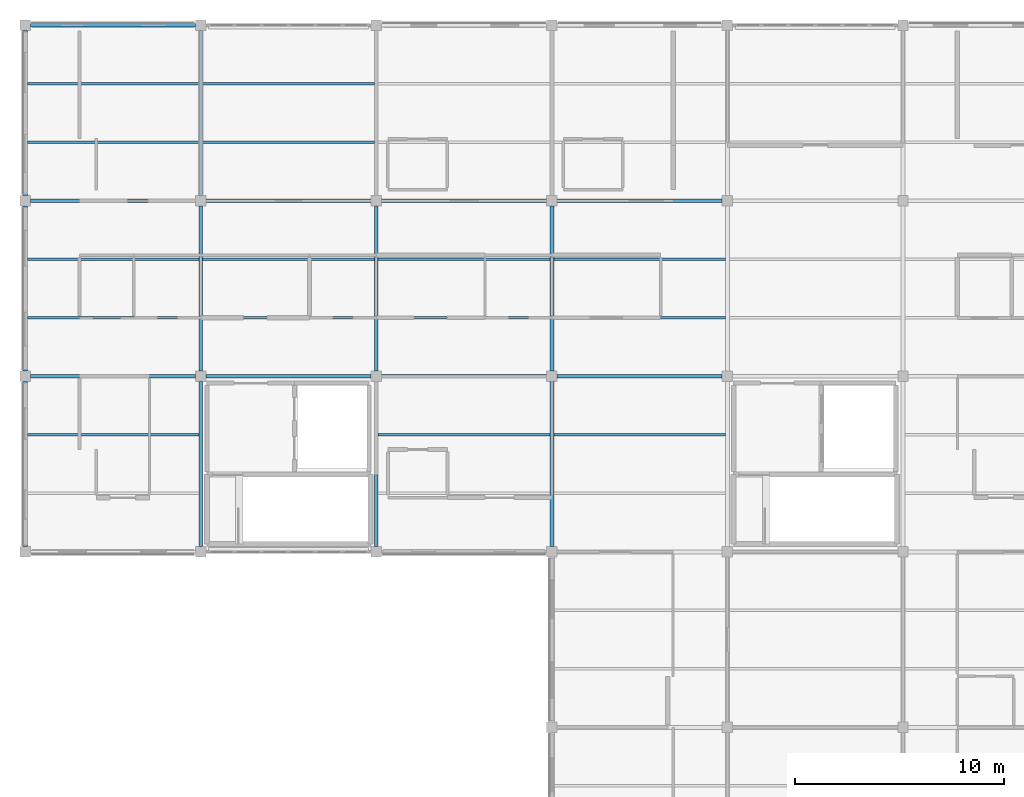
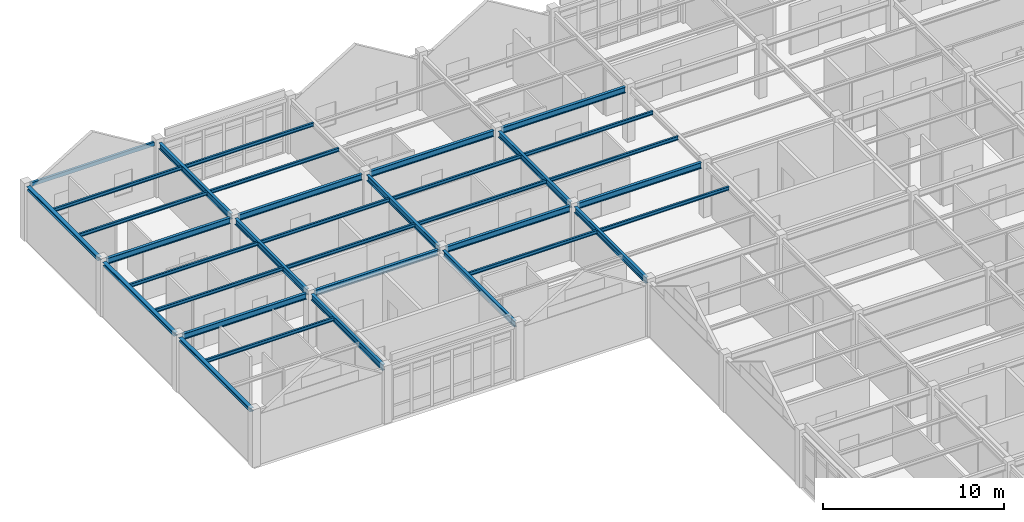
# One storey, part 19 of 45: 34 beams.
"""IFC4 building model written with IfcOpenShell, lengths in metres."""

from ifc_helpers import new_model, si_unit, direction, frame, origin, origin_2d, place, context, subcontext, project, spatial, hollow_rectangle, i_section, extrude, material, material_profile, profile_set, type_object, element, save


model = new_model("IFC4")

# Units and contexts
model_context = context("Model", 3, precision=1e-05, world=origin(), true_north=direction((0.0, 1.0)))
body_context = subcontext(model_context, "Body", "Model", "MODEL_VIEW")
ifc_project = project(units=[si_unit("LENGTHUNIT", "METRE"), si_unit("AREAUNIT", "SQUARE_METRE"), si_unit("VOLUMEUNIT", "CUBIC_METRE"), si_unit("PLANEANGLEUNIT", "RADIAN"), si_unit("MASSUNIT", "GRAM", prefix="KILO")], contexts=[model_context])

# Site, building, storey
site_placement = place(None, origin())
site = spatial("IfcSite", under=ifc_project, at=site_placement, CompositionType="ELEMENT")
building_placement = place(site_placement, origin())
building = spatial("IfcBuilding", under=site, at=building_placement, Name="Bramfleet General Hospital", CompositionType="ELEMENT")
storey_placement = place(building_placement, frame((0.0, 0.0, 30.300048828125)))
storey = spatial("IfcBuildingStorey", under=building, at=storey_placement, Name="L07", CompositionType="ELEMENT", Elevation=30.300048828125)

# Beams
ifc_material = material(Name="Steel S355", Category="steel")
ifc_material_profile_1 = material_profile(ifc_material, i_section(OverallWidth=0.239990234375, OverallDepth=0.22998046875, WebThickness=0.007568359375, FlangeThickness=0.011962890625, FilletRadius=0.02099609375, at=origin_2d()), Name="HEA 240")
ifc_profile_set_1 = profile_set([ifc_material_profile_1], Name="Steel S355")
beam_type_1 = type_object("IfcBeamType", Name="BM-HEA240", PredefinedType="SPANDREL", material=ifc_profile_set_1)
beam_1_placement = place(storey_placement, frame((67.199951171875, 92.64990234375, 3.544921875), z_axis=(0.0, 1.0, 0.0), x_axis=(-1.0, 0.0, 0.0)))
element("IfcBeam", 1, at=beam_1_placement, inside=storey, type_object=beam_type_1, Name="L07 Grid Beam Y 08-11", PredefinedType="SPANDREL", context=body_context, shape_type="SweptSolid", body=[
    extrude(i_section(OverallWidth=0.239990234375, OverallDepth=0.22998046875, WebThickness=0.007568359375, FlangeThickness=0.011962890625, FilletRadius=0.02099609375, at=origin_2d()), origin(), (0.0, 0.0, 1.0), 7.900146484375),
])
beam_2_placement = place(storey_placement, frame((67.199951171875, 101.050048828125, 3.544921875), z_axis=(0.0, 1.0, 0.0), x_axis=(-1.0, 0.0, 0.0)))
element("IfcBeam", 2, at=beam_2_placement, inside=storey, type_object=beam_type_1, Name="L07 Grid Beam Y 08-12", PredefinedType="SPANDREL", context=body_context, shape_type="SweptSolid", body=[
    extrude(i_section(OverallWidth=0.239990234375, OverallDepth=0.22998046875, WebThickness=0.007568359375, FlangeThickness=0.011962890625, FilletRadius=0.02099609375, at=origin_2d()), origin(), (0.0, 0.0, 1.0), 7.89990234375),
])
beam_3_placement = place(storey_placement, frame((67.199951171875, 109.449951171875, 3.544921875), z_axis=(0.0, 1.0, 0.0), x_axis=(-1.0, 0.0, 0.0)))
element("IfcBeam", 3, at=beam_3_placement, inside=storey, type_object=beam_type_1, Name="L07 Grid Beam Y 08-13", PredefinedType="SPANDREL", context=body_context, shape_type="SweptSolid", body=[
    extrude(i_section(OverallWidth=0.239990234375, OverallDepth=0.22998046875, WebThickness=0.007568359375, FlangeThickness=0.011962890625, FilletRadius=0.02099609375, at=origin_2d()), origin(), (0.0, 0.0, 1.0), 7.900146484375),
])
ifc_material_profile_2 = material_profile(ifc_material, i_section(OverallWidth=0.1201171875, OverallDepth=0.239990234375, WebThickness=0.006103515625, FlangeThickness=0.009765625, FilletRadius=0.014892578125, at=origin_2d()), Name="IPE 240")
ifc_profile_set_2 = profile_set([ifc_material_profile_2], Name="Steel S355")
beam_type_2 = type_object("IfcBeamType", Name="BM-IPE240", PredefinedType="JOIST", material=ifc_profile_set_2)
for number, where, z_axis, x_axis, name in (
    (4, (67.320068359375, 98.0, 3.5400390625), (1.0, 0.0, 0.0), (0.0, 1.0, 0.0), "L07 Secondary Joist 08-11-2"),
    (5, (67.320068359375, 103.60009765625, 3.5400390625), (1.0, 0.0, 0.0), (0.0, 1.0, 0.0), "L07 Secondary Joist 08-12-1"),
    (6, (67.320068359375, 106.39990234375, 3.5400390625), (1.0, 0.0, 0.0), (0.0, 1.0, 0.0), "L07 Secondary Joist 08-12-2"),
    (7, (67.320068359375, 112.0, 3.5400390625), (1.0, 0.0, 0.0), (0.0, 1.0, 0.0), "L07 Secondary Joist 08-13-1"),
    (8, (67.320068359375, 114.800048828125, 3.5400390625), (1.0, 0.0, 0.0), (0.0, 1.0, 0.0), "L07 Secondary Joist 08-13-2"),
):
    element("IfcBeam", number, at=place(storey_placement, frame(where, z_axis=z_axis, x_axis=x_axis)), inside=storey, type_object=beam_type_2, Name=name, PredefinedType="JOIST", context=body_context, shape_type="SweptSolid", body=[
        extrude(i_section(OverallWidth=0.1201171875, OverallDepth=0.239990234375, WebThickness=0.006103515625, FlangeThickness=0.009765625, FilletRadius=0.014892578125, at=origin_2d()), origin(), (0.0, 0.0, 1.0), 8.18994140625),
    ])
for number, where, z_axis, x_axis, name in (
    (9, (75.68994140625, 103.60009765625, 3.5400390625), (1.0, 0.0, 0.0), (0.0, 1.0, 0.0), "L07 Secondary Joist 09-12-1"),
    (10, (75.68994140625, 106.39990234375, 3.5400390625), (1.0, 0.0, 0.0), (0.0, 1.0, 0.0), "L07 Secondary Joist 09-12-2"),
    (11, (75.68994140625, 112.0, 3.5400390625), (1.0, 0.0, 0.0), (0.0, 1.0, 0.0), "L07 Secondary Joist 09-13-1"),
    (12, (75.68994140625, 114.800048828125, 3.5400390625), (1.0, 0.0, 0.0), (0.0, 1.0, 0.0), "L07 Secondary Joist 09-13-2"),
    (13, (84.090087890625, 98.0, 3.5400390625), (1.0, 0.0, 0.0), (0.0, 1.0, 0.0), "L07 Secondary Joist 10-11-2"),
    (14, (84.090087890625, 103.60009765625, 3.5400390625), (1.0, 0.0, 0.0), (0.0, 1.0, 0.0), "L07 Secondary Joist 10-12-1"),
    (15, (84.090087890625, 106.39990234375, 3.5400390625), (1.0, 0.0, 0.0), (0.0, 1.0, 0.0), "L07 Secondary Joist 10-12-2"),
    (16, (92.489990234375, 98.0, 3.5400390625), (1.0, 0.0, 0.0), (0.0, 1.0, 0.0), "L07 Secondary Joist 11-11-2"),
    (17, (92.489990234375, 103.60009765625, 3.5400390625), (1.0, 0.0, 0.0), (0.0, 1.0, 0.0), "L07 Secondary Joist 11-12-1"),
    (18, (92.489990234375, 106.39990234375, 3.5400390625), (1.0, 0.0, 0.0), (0.0, 1.0, 0.0), "L07 Secondary Joist 11-12-2"),
):
    element("IfcBeam", number, at=place(storey_placement, frame(where, z_axis=z_axis, x_axis=x_axis)), inside=storey, type_object=beam_type_2, Name=name, PredefinedType="JOIST", context=body_context, shape_type="SweptSolid", body=[
        extrude(i_section(OverallWidth=0.1201171875, OverallDepth=0.239990234375, WebThickness=0.006103515625, FlangeThickness=0.009765625, FilletRadius=0.014892578125, at=origin_2d()), origin(), (0.0, 0.0, 1.0), 8.219970703125),
    ])
ifc_material_profile_3 = material_profile(ifc_material, i_section(OverallWidth=0.179931640625, OverallDepth=0.39990234375, WebThickness=0.008544921875, FlangeThickness=0.013427734375, FilletRadius=0.02099609375, at=origin_2d()), Name="IPE 400")
ifc_profile_set_3 = profile_set([ifc_material_profile_3], Name="Steel S355")
beam_type_3 = type_object("IfcBeamType", Name="BM-IPE400", PredefinedType="BEAM", material=ifc_profile_set_3)
for number, where, z_axis, x_axis, name in (
    (19, (67.449951171875, 100.800048828125, 3.4599609375), (1.0, 0.0, 0.0), (0.0, 1.0, 0.0), "L07 Grid Beam X 08-12"),
    (20, (67.449951171875, 109.199951171875, 3.4599609375), (1.0, 0.0, 0.0), (0.0, 1.0, 0.0), "L07 Grid Beam X 08-13"),
):
    element("IfcBeam", number, at=place(storey_placement, frame(where, z_axis=z_axis, x_axis=x_axis)), inside=storey, type_object=beam_type_3, Name=name, PredefinedType="BEAM", context=body_context, shape_type="SweptSolid", body=[
        extrude(i_section(OverallWidth=0.179931640625, OverallDepth=0.39990234375, WebThickness=0.008544921875, FlangeThickness=0.013427734375, FilletRadius=0.02099609375, at=origin_2d()), origin(), (0.0, 0.0, 1.0), 7.900146484375),
    ])
for number, where, z_axis, x_axis, name in (
    (21, (75.85009765625, 100.800048828125, 3.4599609375), (1.0, 0.0, 0.0), (0.0, 1.0, 0.0), "L07 Grid Beam X 09-12"),
    (22, (75.85009765625, 109.199951171875, 3.4599609375), (1.0, 0.0, 0.0), (0.0, 1.0, 0.0), "L07 Grid Beam X 09-13"),
    (23, (84.25, 100.800048828125, 3.4599609375), (1.0, 0.0, 0.0), (0.0, 1.0, 0.0), "L07 Grid Beam X 10-12"),
    (24, (84.25, 109.199951171875, 3.4599609375), (1.0, 0.0, 0.0), (0.0, 1.0, 0.0), "L07 Grid Beam X 10-13"),
):
    element("IfcBeam", number, at=place(storey_placement, frame(where, z_axis=z_axis, x_axis=x_axis)), inside=storey, type_object=beam_type_3, Name=name, PredefinedType="BEAM", context=body_context, shape_type="SweptSolid", body=[
        extrude(i_section(OverallWidth=0.179931640625, OverallDepth=0.39990234375, WebThickness=0.008544921875, FlangeThickness=0.013427734375, FilletRadius=0.02099609375, at=origin_2d()), origin(), (0.0, 0.0, 1.0), 7.89990234375),
    ])
for number, where, z_axis, x_axis, name in (
    (25, (92.64990234375, 100.800048828125, 3.4599609375), (1.0, 0.0, 0.0), (0.0, 1.0, 0.0), "L07 Grid Beam X 11-12"),
    (26, (92.64990234375, 109.199951171875, 3.4599609375), (1.0, 0.0, 0.0), (0.0, 1.0, 0.0), "L07 Grid Beam X 11-13"),
    (27, (75.60009765625, 92.64990234375, 3.4599609375), (0.0, 1.0, 0.0), (-1.0, 0.0, 0.0), "L07 Grid Beam Y 09-11"),
):
    element("IfcBeam", number, at=place(storey_placement, frame(where, z_axis=z_axis, x_axis=x_axis)), inside=storey, type_object=beam_type_3, Name=name, PredefinedType="BEAM", context=body_context, shape_type="SweptSolid", body=[
        extrude(i_section(OverallWidth=0.179931640625, OverallDepth=0.39990234375, WebThickness=0.008544921875, FlangeThickness=0.013427734375, FilletRadius=0.02099609375, at=origin_2d()), origin(), (0.0, 0.0, 1.0), 7.900146484375),
    ])
beam_4_placement = place(storey_placement, frame((75.60009765625, 101.050048828125, 3.4599609375), z_axis=(0.0, 1.0, 0.0), x_axis=(-1.0, 0.0, 0.0)))
element("IfcBeam", 28, at=beam_4_placement, inside=storey, type_object=beam_type_3, Name="L07 Grid Beam Y 09-12", PredefinedType="BEAM", context=body_context, shape_type="SweptSolid", body=[
    extrude(i_section(OverallWidth=0.179931640625, OverallDepth=0.39990234375, WebThickness=0.008544921875, FlangeThickness=0.013427734375, FilletRadius=0.02099609375, at=origin_2d()), origin(), (0.0, 0.0, 1.0), 7.89990234375),
])
for number, where, z_axis, x_axis, name in (
    (29, (75.60009765625, 109.449951171875, 3.4599609375), (0.0, 1.0, 0.0), (-1.0, 0.0, 0.0), "L07 Grid Beam Y 09-13"),
    (30, (84.0, 92.64990234375, 3.4599609375), (0.0, 1.0, 0.0), (-1.0, 0.0, 0.0), "L07 Grid Beam Y 10-11"),
):
    element("IfcBeam", number, at=place(storey_placement, frame(where, z_axis=z_axis, x_axis=x_axis)), inside=storey, type_object=beam_type_3, Name=name, PredefinedType="BEAM", context=body_context, shape_type="SweptSolid", body=[
        extrude(i_section(OverallWidth=0.179931640625, OverallDepth=0.39990234375, WebThickness=0.008544921875, FlangeThickness=0.013427734375, FilletRadius=0.02099609375, at=origin_2d()), origin(), (0.0, 0.0, 1.0), 7.900146484375),
    ])
beam_5_placement = place(storey_placement, frame((84.0, 101.050048828125, 3.4599609375), z_axis=(0.0, 1.0, 0.0), x_axis=(-1.0, 0.0, 0.0)))
element("IfcBeam", 31, at=beam_5_placement, inside=storey, type_object=beam_type_3, Name="L07 Grid Beam Y 10-12", PredefinedType="BEAM", context=body_context, shape_type="SweptSolid", body=[
    extrude(i_section(OverallWidth=0.179931640625, OverallDepth=0.39990234375, WebThickness=0.008544921875, FlangeThickness=0.013427734375, FilletRadius=0.02099609375, at=origin_2d()), origin(), (0.0, 0.0, 1.0), 7.89990234375),
])
beam_6_placement = place(storey_placement, frame((92.39990234375, 92.64990234375, 3.4599609375), z_axis=(0.0, 1.0, 0.0), x_axis=(-1.0, 0.0, 0.0)))
element("IfcBeam", 32, at=beam_6_placement, inside=storey, type_object=beam_type_3, Name="L07 Grid Beam Y 11-11", PredefinedType="BEAM", context=body_context, shape_type="SweptSolid", body=[
    extrude(i_section(OverallWidth=0.179931640625, OverallDepth=0.39990234375, WebThickness=0.008544921875, FlangeThickness=0.013427734375, FilletRadius=0.02099609375, at=origin_2d()), origin(), (0.0, 0.0, 1.0), 7.900146484375),
])
beam_7_placement = place(storey_placement, frame((92.39990234375, 101.050048828125, 3.4599609375), z_axis=(0.0, 1.0, 0.0), x_axis=(-1.0, 0.0, 0.0)))
element("IfcBeam", 33, at=beam_7_placement, inside=storey, type_object=beam_type_3, Name="L07 Grid Beam Y 11-12", PredefinedType="BEAM", context=body_context, shape_type="SweptSolid", body=[
    extrude(i_section(OverallWidth=0.179931640625, OverallDepth=0.39990234375, WebThickness=0.008544921875, FlangeThickness=0.013427734375, FilletRadius=0.02099609375, at=origin_2d()), origin(), (0.0, 0.0, 1.0), 7.89990234375),
])
ifc_material_profile_4 = material_profile(ifc_material, hollow_rectangle(XDim=0.14990234375, YDim=0.25, WallThickness=0.010009765625, at=origin_2d()), Name="RHS 250x150x10.0")
ifc_profile_set_4 = profile_set([ifc_material_profile_4], Name="Steel S355")
beam_type_4 = type_object("IfcBeamType", Name="BM-RHS250", PredefinedType="SPANDREL", material=ifc_profile_set_4)
beam_8_placement = place(storey_placement, frame((67.449951171875, 117.60009765625, 3.534912109375), z_axis=(1.0, 0.0, 0.0), x_axis=(0.0, 1.0, 0.0)))
element("IfcBeam", 34, at=beam_8_placement, inside=storey, type_object=beam_type_4, Name="L07 Grid Beam X 08-14", PredefinedType="SPANDREL", context=body_context, shape_type="SweptSolid", body=[
    extrude(hollow_rectangle(XDim=0.14990234375, YDim=0.25, WallThickness=0.010009765625, at=origin_2d()), origin(), (0.0, 0.0, 1.0), 7.900146484375),
])

save(model, "model.ifc")
